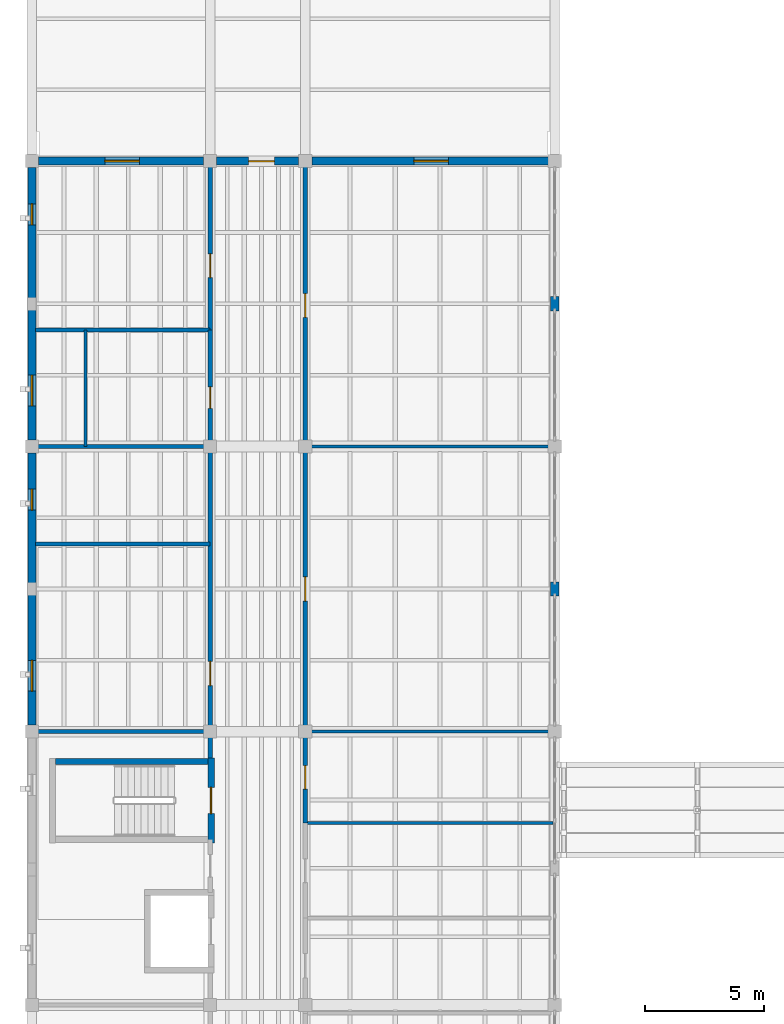
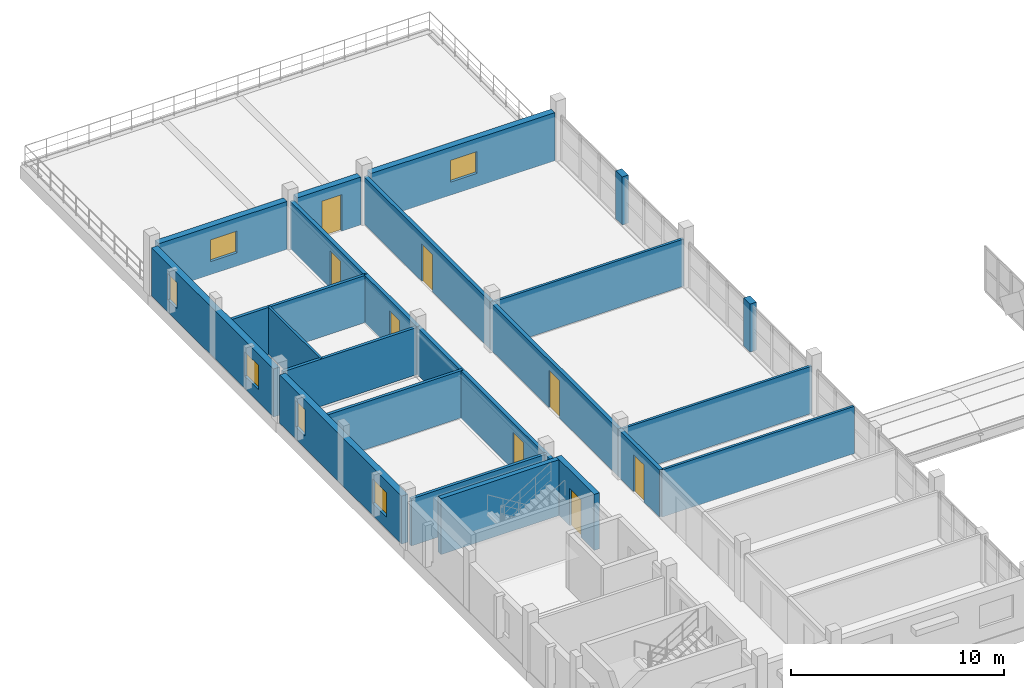
# One storey, part 35 of 48: 23 walls, 8 doors, 6 windows, 14 openings.
"""IFC4 building model written with IfcOpenShell, lengths in metres."""

from ifc_helpers import new_model, si_unit, direction, frame, frame_2d, origin, place, context, subcontext, project, spatial, rectangle, extrude, material, layer, layer_set, type_object, element, fill, save


model = new_model("IFC4")

# Units and contexts
model_context = context("Model", 3, precision=1e-05, world=origin(), true_north=direction((0.0, 1.0)))
body_context = subcontext(model_context, "Body", "Model", "MODEL_VIEW")
ifc_project = project(units=[si_unit("LENGTHUNIT", "METRE"), si_unit("AREAUNIT", "SQUARE_METRE"), si_unit("VOLUMEUNIT", "CUBIC_METRE"), si_unit("PLANEANGLEUNIT", "RADIAN"), si_unit("MASSUNIT", "GRAM", prefix="KILO")], contexts=[model_context])

# Site, building, storey
site_placement = place(None, origin())
site = spatial("IfcSite", under=ifc_project, at=site_placement, CompositionType="ELEMENT")
building_placement = place(site_placement, origin())
building = spatial("IfcBuilding", under=site, at=building_placement, Name="Trellovar Central Fire Station", CompositionType="ELEMENT")
storey_placement = place(building_placement, frame((0.0, 0.0, 9.300048828125)))
storey = spatial("IfcBuildingStorey", under=building, at=storey_placement, Name="L03", CompositionType="ELEMENT", Elevation=9.300048828125)

# Wall, opening, window
ifc_material_1 = material(Name="Textured desert sandstone masonry", Category="masonry")
ifc_layer_1 = layer(ifc_material_1, 0.340087890625)
ifc_layer_set_1 = layer_set([ifc_layer_1], Name="Textured desert sandstone masonry")
wall_type_1 = type_object("IfcWallType", Name="EW-3", PredefinedType="STANDARD", material=ifc_layer_set_1)
wall_1_placement = place(storey_placement, frame((8.22509765625, 53.0, 0.0), z_axis=(0.0, 0.0, 1.0), x_axis=(-1.0, 0.0, 0.0)))
wall_1 = element("IfcWall", 1, at=wall_1_placement, inside=storey, type_object=wall_type_1, Name="V4 L03 north wall 1", PredefinedType="STANDARD", context=body_context, shape_type="SweptSolid", body=[
    extrude(rectangle(XDim=6.9501953125, YDim=0.340087890625, at=frame_2d((3.47509765625, 0.0))), origin(), (0.0, 0.0, 1.0), 2.75),
])
opening_1_placement = place(wall_1_placement, frame((2.699951171875, 0.0, 0.75)))
opening_1 = element("IfcOpeningElement", 2, at=opening_1_placement, cuts=wall_1, Name="Opening W-08", PredefinedType="OPENING", context=body_context, shape_type="SweptSolid", body=[
    extrude(rectangle(XDim=1.449951171875, YDim=1.25, at=frame_2d((0.72509765625, 0.625))), frame((0.0, 0.179931640625, 0.0), z_axis=(0.0, -1.0, 0.0), x_axis=(1.0, 0.0, 0.0)), (0.0, 0.0, 1.0), 0.360107421875),
])
ifc_material_2 = material(Name="Thermally broken bronze anodized aluminum", Category="aluminium")
window_type_1 = type_object("IfcWindowType", Name="WIN-08", PartitioningType="DOUBLE_PANEL_HORIZONTAL", PredefinedType="WINDOW", material=ifc_material_2)
window_1_placement = place(opening_1_placement, origin())
window_1 = element("IfcWindow", 3, at=window_1_placement, inside=storey, type_object=window_type_1, Name="L03 window W-08", OverallHeight=1.25, OverallWidth=1.449951171875, PartitioningType="DOUBLE_PANEL_HORIZONTAL", PredefinedType="WINDOW", context=body_context, shape_type="SweptSolid", body=[
    extrude(rectangle(XDim=1.449951171875, YDim=1.25, at=frame_2d((0.72509765625, 0.625))), frame((0.0, 0.030029296875, 0.0), z_axis=(0.0, -1.0, 0.0), x_axis=(1.0, 0.0, 0.0)), (0.0, 0.0, 1.0), 0.06005859375),
])
fill(opening_1, window_1)

# Wall, opening, door
wall_2_placement = place(storey_placement, frame((12.22509765625, 53.0, 0.0), z_axis=(0.0, 0.0, 1.0), x_axis=(-1.0, 0.0, 0.0)))
wall_2 = element("IfcWall", 4, at=wall_2_placement, inside=storey, type_object=wall_type_1, Name="V4 L03 north wall 2", PredefinedType="STANDARD", context=body_context, shape_type="SweptSolid", body=[
    extrude(rectangle(XDim=3.4501953125, YDim=0.340087890625, at=frame_2d((1.72509765625, 0.0))), origin(), (0.0, 0.0, 1.0), 2.75),
])
opening_2_placement = place(wall_2_placement, frame((1.02490234375, 0.0, 0.0)))
opening_2 = element("IfcOpeningElement", 5, at=opening_2_placement, cuts=wall_2, Name="Opening EX-3", PredefinedType="OPENING", context=body_context, shape_type="SweptSolid", body=[
    extrude(rectangle(XDim=1.080078125, YDim=2.10009765625, at=frame_2d((0.5400390625, 1.050048828125))), frame((0.0, 0.179931640625, 0.0), z_axis=(0.0, -1.0, 0.0), x_axis=(1.0, 0.0, 0.0)), (0.0, 0.0, 1.0), 0.360107421875),
])
ifc_material_3 = material(Name="Thermally broken bronze anodized aluminum", Category="aluminium")
door_type_1 = type_object("IfcDoorType", Name="DR-EXT3", OperationType="SINGLE_SWING_LEFT", PredefinedType="DOOR", material=ifc_material_3)
door_1_placement = place(opening_2_placement, frame((1.080078125, 0.0, 0.0), z_axis=(0.0, 0.0, 1.0), x_axis=(-1.0, 0.0, 0.0)))
door_1 = element("IfcDoor", 6, at=door_1_placement, inside=storey, type_object=door_type_1, Name="V4 L03 north roof terrace access door", OperationType="SINGLE_SWING_LEFT", OverallHeight=2.10009765625, OverallWidth=1.080078125, PredefinedType="DOOR", context=body_context, shape_type="SweptSolid", body=[
    extrude(rectangle(XDim=1.080078125, YDim=2.10009765625, at=frame_2d((0.5400390625, 1.050048828125))), frame((0.0, 0.02490234375, 0.0), z_axis=(0.0, -1.0, 0.0), x_axis=(1.0, 0.0, 0.0)), (0.0, 0.0, 1.0), 0.050048828125),
])
fill(opening_2, door_1)

# Wall, opening, window
wall_3_placement = place(storey_placement, frame((22.72509765625, 53.0, 0.0), z_axis=(0.0, 0.0, 1.0), x_axis=(-1.0, 0.0, 0.0)))
wall_3 = element("IfcWall", 7, at=wall_3_placement, inside=storey, type_object=wall_type_1, Name="V4 L03 north wall 3", PredefinedType="STANDARD", context=body_context, shape_type="SweptSolid", body=[
    extrude(rectangle(XDim=9.9501953125, YDim=0.340087890625, at=frame_2d((4.97509765625, 0.0))), origin(), (0.0, 0.0, 1.0), 2.75),
])
opening_3_placement = place(wall_3_placement, frame((4.199951171875, 0.0, 0.75)))
opening_3 = element("IfcOpeningElement", 8, at=opening_3_placement, cuts=wall_3, Name="Opening W-08", PredefinedType="OPENING", context=body_context, shape_type="SweptSolid", body=[
    extrude(rectangle(XDim=1.449951171875, YDim=1.25, at=frame_2d((0.72509765625, 0.625))), frame((0.0, 0.179931640625, 0.0), z_axis=(0.0, -1.0, 0.0), x_axis=(1.0, 0.0, 0.0)), (0.0, 0.0, 1.0), 0.360107421875),
])
window_2_placement = place(opening_3_placement, origin())
window_2 = element("IfcWindow", 9, at=window_2_placement, inside=storey, type_object=window_type_1, Name="L03 window W-08", OverallHeight=1.25, OverallWidth=1.449951171875, PartitioningType="DOUBLE_PANEL_HORIZONTAL", PredefinedType="WINDOW", context=body_context, shape_type="SweptSolid", body=[
    extrude(rectangle(XDim=1.449951171875, YDim=1.25, at=frame_2d((0.72509765625, 0.625))), frame((0.0, 0.030029296875, 0.0), z_axis=(0.0, -1.0, 0.0), x_axis=(1.0, 0.0, 0.0)), (0.0, 0.0, 1.0), 0.06005859375),
])
fill(opening_3, window_2)

# Wall, openings, windows
wall_4_placement = place(storey_placement, frame((1.0, 40.72509765625, 0.0), z_axis=(0.0, 0.0, 1.0), x_axis=(0.0, -1.0, 0.0)))
wall_4 = element("IfcWall", 10, at=wall_4_placement, inside=storey, type_object=wall_type_1, Name="V4 L03 west wall", PredefinedType="STANDARD", context=body_context, shape_type="SweptSolid", body=[
    extrude(rectangle(XDim=11.4501953125, YDim=0.340087890625, at=frame_2d((5.72509765625, 0.0))), origin(), (0.0, 0.0, 1.0), 2.75),
])
opening_4_placement = place(wall_4_placement, frame((1.52490234375, 0.0, 0.699951171875)))
opening_4 = element("IfcOpeningElement", 11, at=opening_4_placement, cuts=wall_4, Name="Opening W-07", PredefinedType="OPENING", context=body_context, shape_type="SweptSolid", body=[
    extrude(rectangle(XDim=0.8798828125, YDim=1.5, at=frame_2d((0.43994140625, 0.75))), frame((0.0, 0.179931640625, 0.0), z_axis=(0.0, -1.0, 0.0), x_axis=(1.0, 0.0, 0.0)), (0.0, 0.0, 1.0), 0.360107421875),
])
opening_5_placement = place(wall_4_placement, frame((8.72509765625, 0.0, 0.699951171875)))
opening_5 = element("IfcOpeningElement", 12, at=opening_5_placement, cuts=wall_4, Name="Opening W-09", PredefinedType="OPENING", context=body_context, shape_type="SweptSolid", body=[
    extrude(rectangle(XDim=1.300048828125, YDim=1.39990234375, at=frame_2d((0.64990234375, 0.699951171875))), frame((0.0, 0.179931640625, 0.0), z_axis=(0.0, -1.0, 0.0), x_axis=(1.0, 0.0, 0.0)), (0.0, 0.0, 1.0), 0.360107421875),
])
ifc_material_4 = material(Name="Thermally broken bronze anodized aluminum", Category="aluminium")
window_type_2 = type_object("IfcWindowType", Name="WIN-07", PartitioningType="SINGLE_PANEL", PredefinedType="WINDOW", material=ifc_material_4)
window_3_placement = place(opening_4_placement, origin())
window_3 = element("IfcWindow", 13, at=window_3_placement, inside=storey, type_object=window_type_2, Name="L03 window W-07", OverallHeight=1.5, OverallWidth=0.8798828125, PartitioningType="SINGLE_PANEL", PredefinedType="WINDOW", context=body_context, shape_type="SweptSolid", body=[
    extrude(rectangle(XDim=0.8798828125, YDim=1.5, at=frame_2d((0.43994140625, 0.75))), frame((0.0, 0.030029296875, 0.0), z_axis=(0.0, -1.0, 0.0), x_axis=(1.0, 0.0, 0.0)), (0.0, 0.0, 1.0), 0.06005859375),
])
fill(opening_4, window_3)
ifc_material_5 = material(Name="Thermally broken bronze anodized aluminum", Category="aluminium")
window_type_3 = type_object("IfcWindowType", Name="WIN-09", PartitioningType="SINGLE_PANEL", PredefinedType="WINDOW", material=ifc_material_5)
window_4_placement = place(opening_5_placement, origin())
window_4 = element("IfcWindow", 14, at=window_4_placement, inside=storey, type_object=window_type_3, Name="L03 window W-09", OverallHeight=1.39990234375, OverallWidth=1.300048828125, PartitioningType="SINGLE_PANEL", PredefinedType="WINDOW", context=body_context, shape_type="SweptSolid", body=[
    extrude(rectangle(XDim=1.300048828125, YDim=1.39990234375, at=frame_2d((0.64990234375, 0.699951171875))), frame((0.0, 0.030029296875, 0.0), z_axis=(0.0, -1.0, 0.0), x_axis=(1.0, 0.0, 0.0)), (0.0, 0.0, 1.0), 0.06005859375),
])
fill(opening_5, window_4)

wall_5_placement = place(storey_placement, frame((1.0, 52.72509765625, 0.0), z_axis=(0.0, 0.0, 1.0), x_axis=(0.0, -1.0, 0.0)))
wall_5 = element("IfcWall", 15, at=wall_5_placement, inside=storey, type_object=wall_type_1, Name="V4 L03 west wall", PredefinedType="STANDARD", context=body_context, shape_type="SweptSolid", body=[
    extrude(rectangle(XDim=11.4501953125, YDim=0.340087890625, at=frame_2d((5.72509765625, 0.0))), origin(), (0.0, 0.0, 1.0), 2.75),
])
opening_6_placement = place(wall_5_placement, frame((1.52490234375, 0.0, 0.699951171875)))
opening_6 = element("IfcOpeningElement", 16, at=opening_6_placement, cuts=wall_5, Name="Opening W-07", PredefinedType="OPENING", context=body_context, shape_type="SweptSolid", body=[
    extrude(rectangle(XDim=0.8798828125, YDim=1.5, at=frame_2d((0.43994140625, 0.75))), frame((0.0, 0.179931640625, 0.0), z_axis=(0.0, -1.0, 0.0), x_axis=(1.0, 0.0, 0.0)), (0.0, 0.0, 1.0), 0.360107421875),
])
opening_7_placement = place(wall_5_placement, frame((8.72509765625, 0.0, 0.699951171875)))
opening_7 = element("IfcOpeningElement", 17, at=opening_7_placement, cuts=wall_5, Name="Opening W-09", PredefinedType="OPENING", context=body_context, shape_type="SweptSolid", body=[
    extrude(rectangle(XDim=1.300048828125, YDim=1.39990234375, at=frame_2d((0.64990234375, 0.699951171875))), frame((0.0, 0.179931640625, 0.0), z_axis=(0.0, -1.0, 0.0), x_axis=(1.0, 0.0, 0.0)), (0.0, 0.0, 1.0), 0.360107421875),
])
window_5_placement = place(opening_6_placement, origin())
window_5 = element("IfcWindow", 18, at=window_5_placement, inside=storey, type_object=window_type_2, Name="L03 window W-07", OverallHeight=1.5, OverallWidth=0.8798828125, PartitioningType="SINGLE_PANEL", PredefinedType="WINDOW", context=body_context, shape_type="SweptSolid", body=[
    extrude(rectangle(XDim=0.8798828125, YDim=1.5, at=frame_2d((0.43994140625, 0.75))), frame((0.0, 0.030029296875, 0.0), z_axis=(0.0, -1.0, 0.0), x_axis=(1.0, 0.0, 0.0)), (0.0, 0.0, 1.0), 0.06005859375),
])
fill(opening_6, window_5)
window_6_placement = place(opening_7_placement, origin())
window_6 = element("IfcWindow", 19, at=window_6_placement, inside=storey, type_object=window_type_3, Name="L03 window W-09", OverallHeight=1.39990234375, OverallWidth=1.300048828125, PartitioningType="SINGLE_PANEL", PredefinedType="WINDOW", context=body_context, shape_type="SweptSolid", body=[
    extrude(rectangle(XDim=1.300048828125, YDim=1.39990234375, at=frame_2d((0.64990234375, 0.699951171875))), frame((0.0, 0.030029296875, 0.0), z_axis=(0.0, -1.0, 0.0), x_axis=(1.0, 0.0, 0.0)), (0.0, 0.0, 1.0), 0.06005859375),
])
fill(opening_7, window_6)

# Walls
for number, where, z_axis, x_axis, name in (
    (20, (23.0, 34.699951171875, 0.0), (0.0, 0.0, 1.0), (0.0, 1.0, 0.0), "V4 L03 courtyard mullion pier"),
    (21, (23.0, 46.699951171875, 0.0), (0.0, 0.0, 1.0), (0.0, 1.0, 0.0), "V4 L03 courtyard mullion pier"),
):
    element("IfcWall", number, at=place(storey_placement, frame(where, z_axis=z_axis, x_axis=x_axis)), inside=storey, type_object=wall_type_1, Name=name, PredefinedType="STANDARD", context=body_context, shape_type="SweptSolid", body=[
        extrude(rectangle(XDim=0.60009765625, YDim=0.340087890625, at=frame_2d((0.300048828125, 0.0))), origin(), (0.0, 0.0, 1.0), 2.75),
    ])

# Wall, opening, door
ifc_material_6 = material(Name="Acoustic concrete masonry unit", Category="masonry")
ifc_layer_2 = layer(ifc_material_6, 0.199951171875)
ifc_layer_set_2 = layer_set([ifc_layer_2], Name="Acoustic concrete masonry unit")
wall_type_2 = type_object("IfcWallType", Name="PT-1", PredefinedType="PARTITIONING", material=ifc_layer_set_2)
wall_6_placement = place(storey_placement, frame((8.5, 27.739990234375, 0.0), z_axis=(0.0, 0.0, 1.0), x_axis=(0.0, 1.0, 0.0)))
wall_6 = element("IfcWall", 22, at=wall_6_placement, inside=storey, type_object=wall_type_2, Name="V4 L03 west corridor spine 4", PredefinedType="PARTITIONING", context=body_context, shape_type="SweptSolid", body=[
    extrude(rectangle(XDim=13.260009765625, YDim=0.199951171875, at=frame_2d((6.6298828125, 0.0))), origin(), (0.0, 0.0, 1.0), 2.699951171875),
])
opening_8_placement = place(wall_6_placement, frame((3.199951171875, 0.0, 0.0)))
opening_8 = element("IfcOpeningElement", 23, at=opening_8_placement, cuts=wall_6, Name="Opening ID-8", PredefinedType="OPENING", context=body_context, shape_type="SweptSolid", body=[
    extrude(rectangle(XDim=1.02001953125, YDim=2.139892578125, at=frame_2d((0.510009765625, 1.06982421875))), frame((0.0, 0.10986328125, 0.0), z_axis=(0.0, -1.0, 0.0), x_axis=(1.0, 0.0, 0.0)), (0.0, 0.0, 1.0), 0.219970703125),
])
ifc_material_7 = material(Name="Solid core acoustic white oak veneer", Category="wood")
door_type_2 = type_object("IfcDoorType", Name="DR-INT8", OperationType="SINGLE_SWING_LEFT", PredefinedType="DOOR", material=ifc_material_7)
door_2_placement = place(opening_8_placement, origin())
door_2 = element("IfcDoor", 24, at=door_2_placement, inside=storey, type_object=door_type_2, Name="V4 L03 NW room door", OperationType="SINGLE_SWING_RIGHT", OverallHeight=2.139892578125, OverallWidth=1.02001953125, PredefinedType="DOOR", context=body_context, shape_type="SweptSolid", body=[
    extrude(rectangle(XDim=1.02001953125, YDim=2.139892578125, at=frame_2d((0.510009765625, 1.06982421875))), frame((0.0, 0.02490234375, 0.0), z_axis=(0.0, -1.0, 0.0), x_axis=(1.0, 0.0, 0.0)), (0.0, 0.0, 1.0), 0.050048828125),
])
fill(opening_8, door_2)

wall_7_placement = place(storey_placement, frame((8.5, 41.0, 0.0), z_axis=(0.0, 0.0, 1.0), x_axis=(0.0, 1.0, 0.0)))
wall_7 = element("IfcWall", 25, at=wall_7_placement, inside=storey, type_object=wall_type_2, Name="V4 L03 west corridor spine 5", PredefinedType="PARTITIONING", context=body_context, shape_type="SweptSolid", body=[
    extrude(rectangle(XDim=4.89990234375, YDim=0.199951171875, at=frame_2d((2.449951171875, 0.0))), origin(), (0.0, 0.0, 1.0), 2.699951171875),
])
opening_9_placement = place(wall_7_placement, frame((1.60009765625, 0.0, 0.0)))
opening_9 = element("IfcOpeningElement", 26, at=opening_9_placement, cuts=wall_7, Name="Opening ID-11", PredefinedType="OPENING", context=body_context, shape_type="SweptSolid", body=[
    extrude(rectangle(XDim=0.89990234375, YDim=2.080078125, at=frame_2d((0.449951171875, 1.0400390625))), frame((0.0, 0.10986328125, 0.0), z_axis=(0.0, -1.0, 0.0), x_axis=(1.0, 0.0, 0.0)), (0.0, 0.0, 1.0), 0.219970703125),
])
ifc_material_8 = material(Name="Solid core acoustic white oak veneer", Category="wood")
door_type_3 = type_object("IfcDoorType", Name="DR-INT11", OperationType="SINGLE_SWING_LEFT", PredefinedType="DOOR", material=ifc_material_8)
door_3_placement = place(opening_9_placement, origin())
door_3 = element("IfcDoor", 27, at=door_3_placement, inside=storey, type_object=door_type_3, Name="V4 L03 accessible restroom door", OperationType="SINGLE_SWING_LEFT", OverallHeight=2.080078125, OverallWidth=0.89990234375, PredefinedType="DOOR", context=body_context, shape_type="SweptSolid", body=[
    extrude(rectangle(XDim=0.89990234375, YDim=2.080078125, at=frame_2d((0.449951171875, 1.0400390625))), frame((0.0, 0.02490234375, 0.0), z_axis=(0.0, -1.0, 0.0), x_axis=(1.0, 0.0, 0.0)), (0.0, 0.0, 1.0), 0.050048828125),
])
fill(opening_9, door_3)

wall_8_placement = place(storey_placement, frame((8.5, 45.89990234375, 0.0), z_axis=(0.0, 0.0, 1.0), x_axis=(0.0, 1.0, 0.0)))
wall_8 = element("IfcWall", 28, at=wall_8_placement, inside=storey, type_object=wall_type_2, Name="V4 L03 west corridor spine 6", PredefinedType="PARTITIONING", context=body_context, shape_type="SweptSolid", body=[
    extrude(rectangle(XDim=6.9501953125, YDim=0.199951171875, at=frame_2d((3.47509765625, 0.0))), origin(), (0.0, 0.0, 1.0), 2.699951171875),
])
opening_10_placement = place(wall_8_placement, frame((2.199951171875, 0.0, 0.0)))
opening_10 = element("IfcOpeningElement", 29, at=opening_10_placement, cuts=wall_8, Name="Opening ID-1", PredefinedType="OPENING", context=body_context, shape_type="SweptSolid", body=[
    extrude(rectangle(XDim=1.0, YDim=2.1201171875, at=frame_2d((0.5, 1.06005859375))), frame((0.0, 0.10986328125, 0.0), z_axis=(0.0, -1.0, 0.0), x_axis=(1.0, 0.0, 0.0)), (0.0, 0.0, 1.0), 0.219970703125),
])
ifc_material_9 = material(Name="Solid core acoustic white oak veneer", Category="wood")
door_type_4 = type_object("IfcDoorType", Name="DR-INT1", OperationType="SINGLE_SWING_LEFT", PredefinedType="DOOR", material=ifc_material_9)
door_4_placement = place(opening_10_placement, origin())
door_4 = element("IfcDoor", 30, at=door_4_placement, inside=storey, type_object=door_type_4, Name="V4 L03 north room door", OperationType="SINGLE_SWING_RIGHT", OverallHeight=2.1201171875, OverallWidth=1.0, PredefinedType="DOOR", context=body_context, shape_type="SweptSolid", body=[
    extrude(rectangle(XDim=1.0, YDim=2.1201171875, at=frame_2d((0.5, 1.06005859375))), frame((0.0, 0.02490234375, 0.0), z_axis=(0.0, -1.0, 0.0), x_axis=(1.0, 0.0, 0.0)), (0.0, 0.0, 1.0), 0.050048828125),
])
fill(opening_10, door_4)

wall_9_placement = place(storey_placement, frame((12.5, 25.14990234375, 0.0), z_axis=(0.0, 0.0, 1.0), x_axis=(0.0, 1.0, 0.0)))
wall_9 = element("IfcWall", 31, at=wall_9_placement, inside=storey, type_object=wall_type_2, Name="V4 L03 east corridor spine", PredefinedType="PARTITIONING", context=body_context, shape_type="SweptSolid", body=[
    extrude(rectangle(XDim=3.85009765625, YDim=0.199951171875, at=frame_2d((1.925048828125, 0.0))), origin(), (0.0, 0.0, 1.0), 2.699951171875),
])
opening_11_placement = place(wall_9_placement, frame((1.43505859375, 0.0, 0.0)))
opening_11 = element("IfcOpeningElement", 32, at=opening_11_placement, cuts=wall_9, Name="Opening ID-7", PredefinedType="OPENING", context=body_context, shape_type="SweptSolid", body=[
    extrude(rectangle(XDim=0.97998046875, YDim=2.1201171875, at=frame_2d((0.489990234375, 1.06005859375))), frame((0.0, 0.10986328125, 0.0), z_axis=(0.0, -1.0, 0.0), x_axis=(1.0, 0.0, 0.0)), (0.0, 0.0, 1.0), 0.219970703125),
])
ifc_material_10 = material(Name="Solid core acoustic white oak veneer", Category="wood")
door_type_5 = type_object("IfcDoorType", Name="DR-INT7", OperationType="SINGLE_SWING_LEFT", PredefinedType="DOOR", material=ifc_material_10)
door_5_placement = place(opening_11_placement, origin())
door_5 = element("IfcDoor", 33, at=door_5_placement, inside=storey, type_object=door_type_5, Name="V4 L03 east room door", OperationType="SINGLE_SWING_LEFT", OverallHeight=2.1201171875, OverallWidth=0.97998046875, PredefinedType="DOOR", context=body_context, shape_type="SweptSolid", body=[
    extrude(rectangle(XDim=0.97998046875, YDim=2.1201171875, at=frame_2d((0.489990234375, 1.06005859375))), frame((0.0, 0.02490234375, 0.0), z_axis=(0.0, -1.0, 0.0), x_axis=(1.0, 0.0, 0.0)), (0.0, 0.0, 1.0), 0.050048828125),
])
fill(opening_11, door_5)

wall_10_placement = place(storey_placement, frame((12.5, 29.0, 0.0), z_axis=(0.0, 0.0, 1.0), x_axis=(0.0, 1.0, 0.0)))
wall_10 = element("IfcWall", 34, at=wall_10_placement, inside=storey, type_object=wall_type_2, Name="V4 L03 east corridor spine", PredefinedType="PARTITIONING", context=body_context, shape_type="SweptSolid", body=[
    extrude(rectangle(XDim=12.0, YDim=0.199951171875, at=frame_2d((6.0, 0.0))), origin(), (0.0, 0.0, 1.0), 2.699951171875),
])
opening_12_placement = place(wall_10_placement, frame((5.489990234375, 0.0, 0.0)))
opening_12 = element("IfcOpeningElement", 35, at=opening_12_placement, cuts=wall_10, Name="Opening ID-8", PredefinedType="OPENING", context=body_context, shape_type="SweptSolid", body=[
    extrude(rectangle(XDim=1.02001953125, YDim=2.139892578125, at=frame_2d((0.510009765625, 1.06982421875))), frame((0.0, 0.10986328125, 0.0), z_axis=(0.0, -1.0, 0.0), x_axis=(1.0, 0.0, 0.0)), (0.0, 0.0, 1.0), 0.219970703125),
])
door_6_placement = place(opening_12_placement, origin())
door_6 = element("IfcDoor", 36, at=door_6_placement, inside=storey, type_object=door_type_2, Name="V4 L03 east room door", OperationType="SINGLE_SWING_RIGHT", OverallHeight=2.139892578125, OverallWidth=1.02001953125, PredefinedType="DOOR", context=body_context, shape_type="SweptSolid", body=[
    extrude(rectangle(XDim=1.02001953125, YDim=2.139892578125, at=frame_2d((0.510009765625, 1.06982421875))), frame((0.0, 0.02490234375, 0.0), z_axis=(0.0, -1.0, 0.0), x_axis=(1.0, 0.0, 0.0)), (0.0, 0.0, 1.0), 0.050048828125),
])
fill(opening_12, door_6)

wall_11_placement = place(storey_placement, frame((12.5, 41.0, 0.0), z_axis=(0.0, 0.0, 1.0), x_axis=(0.0, 1.0, 0.0)))
wall_11 = element("IfcWall", 37, at=wall_11_placement, inside=storey, type_object=wall_type_2, Name="V4 L03 east corridor spine", PredefinedType="PARTITIONING", context=body_context, shape_type="SweptSolid", body=[
    extrude(rectangle(XDim=11.85009765625, YDim=0.199951171875, at=frame_2d((5.925048828125, 0.0))), origin(), (0.0, 0.0, 1.0), 2.699951171875),
])
opening_13_placement = place(wall_11_placement, frame((5.425048828125, 0.0, 0.0)))
opening_13 = element("IfcOpeningElement", 38, at=opening_13_placement, cuts=wall_11, Name="Opening ID-1", PredefinedType="OPENING", context=body_context, shape_type="SweptSolid", body=[
    extrude(rectangle(XDim=1.0, YDim=2.1201171875, at=frame_2d((0.5, 1.06005859375))), frame((0.0, 0.10986328125, 0.0), z_axis=(0.0, -1.0, 0.0), x_axis=(1.0, 0.0, 0.0)), (0.0, 0.0, 1.0), 0.219970703125),
])
door_7_placement = place(opening_13_placement, origin())
door_7 = element("IfcDoor", 39, at=door_7_placement, inside=storey, type_object=door_type_4, Name="V4 L03 east room door", OperationType="SINGLE_SWING_LEFT", OverallHeight=2.1201171875, OverallWidth=1.0, PredefinedType="DOOR", context=body_context, shape_type="SweptSolid", body=[
    extrude(rectangle(XDim=1.0, YDim=2.1201171875, at=frame_2d((0.5, 1.06005859375))), frame((0.0, 0.02490234375, 0.0), z_axis=(0.0, -1.0, 0.0), x_axis=(1.0, 0.0, 0.0)), (0.0, 0.0, 1.0), 0.050048828125),
])
fill(opening_13, door_7)

# Walls
ifc_material_11 = material(Name="Acoustic concrete masonry unit", Category="masonry")
ifc_layer_3 = layer(ifc_material_11, 0.159912109375)
ifc_layer_set_3 = layer_set([ifc_layer_3], Name="Acoustic concrete masonry unit")
wall_type_3 = type_object("IfcWallType", Name="PT-2", PredefinedType="PARTITIONING", material=ifc_layer_set_3)
for number, where, z_axis, x_axis, name in (
    (40, (1.14990234375, 29.0, 0.0), (0.0, 0.0, 1.0), (1.0, 0.0, 0.0), "V4 L03 west divider Y=29.0"),
    (41, (1.14990234375, 36.89990234375, 0.0), (0.0, 0.0, 1.0), (1.0, 0.0, 0.0), "V4 L03 west divider Y=36.9"),
    (42, (1.14990234375, 41.0, 0.0), (0.0, 0.0, 1.0), (1.0, 0.0, 0.0), "V4 L03 west divider Y=41.0"),
    (43, (1.14990234375, 45.89990234375, 0.0), (0.0, 0.0, 1.0), (1.0, 0.0, 0.0), "V4 L03 west divider Y=45.9"),
):
    element("IfcWall", number, at=place(storey_placement, frame(where, z_axis=z_axis, x_axis=x_axis)), inside=storey, type_object=wall_type_3, Name=name, PredefinedType="PARTITIONING", context=body_context, shape_type="SweptSolid", body=[
        extrude(rectangle(XDim=7.35009765625, YDim=0.159912109375, at=frame_2d((3.675048828125, 0.0))), origin(), (0.0, 0.0, 1.0), 2.699951171875),
    ])
ifc_material_12 = material(Name="Fire-rated acoustic gypsum stud partition", Category="gypsum")
ifc_layer_4 = layer(ifc_material_12, 0.125)
ifc_layer_set_4 = layer_set([ifc_layer_4], Name="Fire-rated acoustic gypsum stud partition")
wall_type_4 = type_object("IfcWallType", Name="PT-4", PredefinedType="PARTITIONING", material=ifc_layer_set_4)
wall_12_placement = place(storey_placement, frame((3.25, 41.0, 0.0), z_axis=(0.0, 0.0, 1.0), x_axis=(0.0, 1.0, 0.0)))
element("IfcWall", 44, at=wall_12_placement, inside=storey, type_object=wall_type_4, Name="V4 L03 restroom back wall", PredefinedType="PARTITIONING", context=body_context, shape_type="SweptSolid", body=[
    extrude(rectangle(XDim=4.89990234375, YDim=0.125, at=frame_2d((2.449951171875, 0.0))), origin(), (0.0, 0.0, 1.0), 2.699951171875),
])
ifc_material_13 = material(Name="Fire-rated acoustic gypsum stud partition", Category="gypsum")
ifc_layer_5 = layer(ifc_material_13, 0.135009765625)
ifc_layer_set_5 = layer_set([ifc_layer_5], Name="Fire-rated acoustic gypsum stud partition")
wall_type_5 = type_object("IfcWallType", Name="PT-7", PredefinedType="PARTITIONING", material=ifc_layer_set_5)
wall_13_placement = place(storey_placement, frame((12.5, 25.14990234375, 0.0), z_axis=(0.0, 0.0, 1.0), x_axis=(1.0, 0.0, 0.0)))
element("IfcWall", 45, at=wall_13_placement, inside=storey, type_object=wall_type_5, Name="V4 L03 east room divider Y=25.15", PredefinedType="PARTITIONING", context=body_context, shape_type="SweptSolid", body=[
    extrude(rectangle(XDim=10.419921875, YDim=0.135009765625, at=frame_2d((5.2099609375, 0.0))), origin(), (0.0, 0.0, 1.0), 2.699951171875),
])
for number, where, z_axis, x_axis, name in (
    (46, (12.5, 29.0, 0.0), (0.0, 0.0, 1.0), (1.0, 0.0, 0.0), "V4 L03 east room divider Y=29.00"),
    (47, (12.5, 41.0, 0.0), (0.0, 0.0, 1.0), (1.0, 0.0, 0.0), "V4 L03 east room divider Y=41.00"),
):
    element("IfcWall", number, at=place(storey_placement, frame(where, z_axis=z_axis, x_axis=x_axis)), inside=storey, type_object=wall_type_5, Name=name, PredefinedType="PARTITIONING", context=body_context, shape_type="SweptSolid", body=[
        extrude(rectangle(XDim=10.340087890625, YDim=0.135009765625, at=frame_2d((5.169921875, 0.0))), origin(), (0.0, 0.0, 1.0), 2.699951171875),
    ])

# Wall, opening, door
ifc_material_14 = material(Name="Concrete C40/50", Category="concrete")
ifc_layer_6 = layer(ifc_material_14, 0.280029296875)
ifc_layer_set_6 = layer_set([ifc_layer_6], Name="Concrete C40/50")
wall_type_6 = type_object("IfcWallType", Name="SW-1", PredefinedType="SHEAR", material=ifc_layer_set_6)
wall_14_placement = place(storey_placement, frame((8.5400390625, 27.8798828125, 0.0), z_axis=(0.0, 0.0, 1.0), x_axis=(0.0, -1.0, 0.0)))
wall_14 = element("IfcWall", 48, at=wall_14_placement, inside=storey, type_object=wall_type_6, Name="Stair ST-04 L03 front corridor wall", PredefinedType="SHEAR", context=body_context, shape_type="SweptSolid", body=[
    extrude(rectangle(XDim=3.559814453125, YDim=0.280029296875, at=frame_2d((1.77978515625, 0.0))), origin(), (0.0, 0.0, 1.0), 3.199951171875),
])
opening_14_placement = place(wall_14_placement, frame((1.22998046875, 0.0, 0.0)))
opening_14 = element("IfcOpeningElement", 49, at=opening_14_placement, cuts=wall_14, Name="Opening SD-2", PredefinedType="OPENING", context=body_context, shape_type="SweptSolid", body=[
    extrude(rectangle(XDim=1.10009765625, YDim=2.14990234375, at=frame_2d((0.550048828125, 1.074951171875))), frame((0.0, 0.14990234375, 0.0), z_axis=(0.0, -1.0, 0.0), x_axis=(1.0, 0.0, 0.0)), (0.0, 0.0, 1.0), 0.300048828125),
])
ifc_material_15 = material(Name="Hollow galvanized steel with acoustic core", Category="steel")
door_type_6 = type_object("IfcDoorType", Name="DR-STR2", OperationType="SINGLE_SWING_LEFT", PredefinedType="DOOR", material=ifc_material_15)
door_8_placement = place(opening_14_placement, origin())
door_8 = element("IfcDoor", 50, at=door_8_placement, inside=storey, type_object=door_type_6, Name="Stair ST-04 L03 fire door", OperationType="SINGLE_SWING_LEFT", OverallHeight=2.14990234375, OverallWidth=1.10009765625, PredefinedType="DOOR", context=body_context, shape_type="SweptSolid", body=[
    extrude(rectangle(XDim=1.10009765625, YDim=2.14990234375, at=frame_2d((0.550048828125, 1.074951171875))), frame((0.0, 0.02490234375, 0.0), z_axis=(0.0, -1.0, 0.0), x_axis=(1.0, 0.0, 0.0)), (0.0, 0.0, 1.0), 0.050048828125),
])
fill(opening_14, door_8)

# Wall
ifc_material_16 = material(Name="Concrete C40/50", Category="concrete")
ifc_layer_7 = layer(ifc_material_16, 0.25)
ifc_layer_set_7 = layer_set([ifc_layer_7], Name="Concrete C40/50")
wall_type_7 = type_object("IfcWallType", Name="SW-2", PredefinedType="SHEAR", material=ifc_layer_set_7)
wall_15_placement = place(storey_placement, frame((8.39990234375, 27.739990234375, 0.0), z_axis=(0.0, 0.0, 1.0), x_axis=(-1.0, 0.0, 0.0)))
element("IfcWall", 51, at=wall_15_placement, inside=storey, type_object=wall_type_7, Name="Stair ST-04 L03 left wall", PredefinedType="SHEAR", context=body_context, shape_type="SweptSolid", body=[
    extrude(rectangle(XDim=6.39990234375, YDim=0.25, at=frame_2d((3.199951171875, 0.0))), origin(), (0.0, 0.0, 1.0), 3.199951171875),
])

save(model, "model.ifc")
